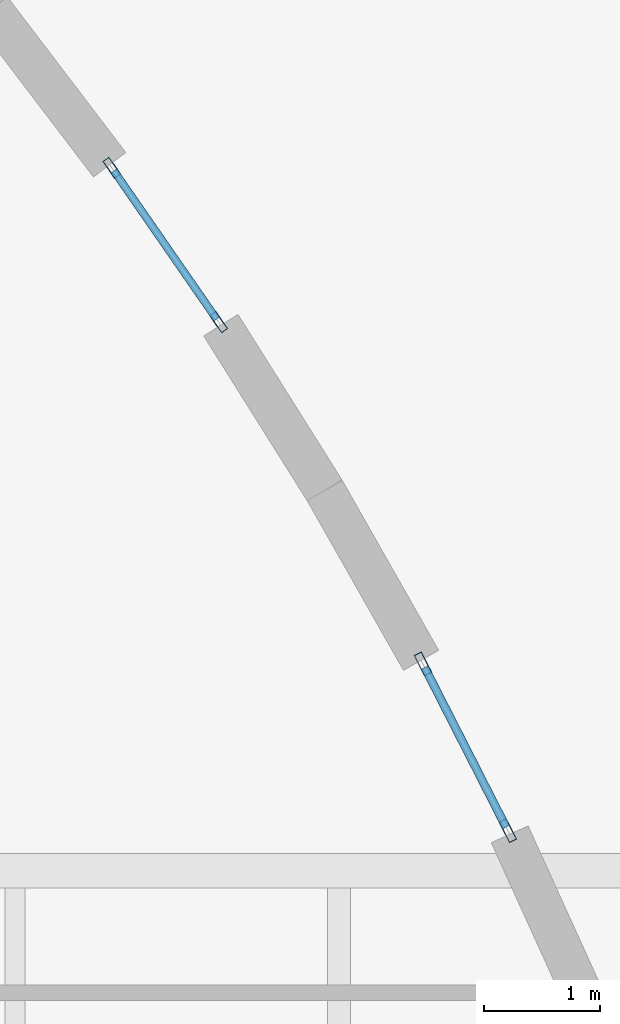
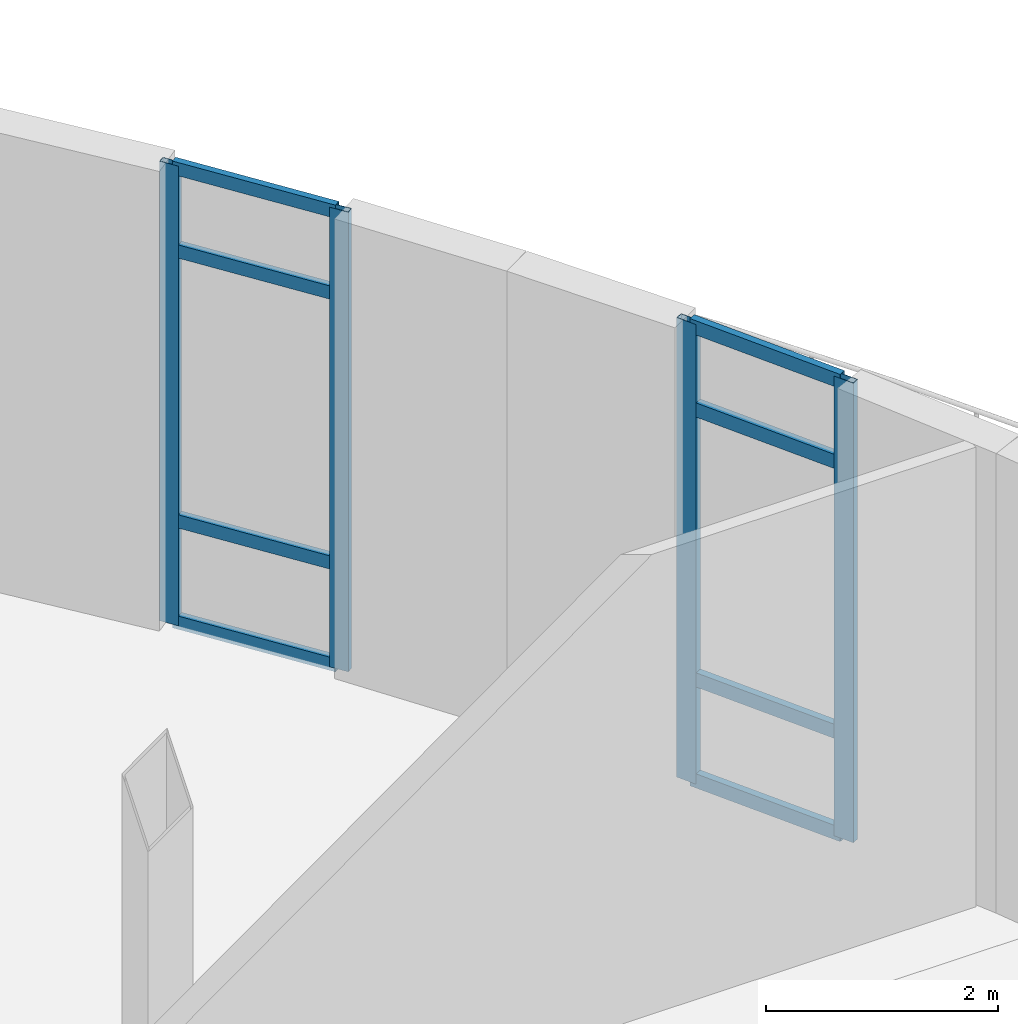
# One storey, part 27 of 57: 12 members, 2 elements without a shape of their own.
"""IFC4 building model written with IfcOpenShell, lengths in metres."""

from ifc_helpers import new_model, si_unit, direction, frame, origin, origin_2d, place, context, subcontext, project, spatial, hollow_rectangle, extrude, material, layer, layer_set, material_profile, profile_set, type_object, element, aggregate, save


model = new_model("IFC4")

# Units and contexts
model_context = context("Model", 3, precision=1e-05, world=origin(), true_north=direction((0.0, 1.0)))
body_context = subcontext(model_context, "Body", "Model", "MODEL_VIEW")
ifc_project = project(units=[si_unit("LENGTHUNIT", "METRE"), si_unit("AREAUNIT", "SQUARE_METRE"), si_unit("VOLUMEUNIT", "CUBIC_METRE"), si_unit("PLANEANGLEUNIT", "RADIAN"), si_unit("MASSUNIT", "GRAM", prefix="KILO"), si_unit("THERMODYNAMICTEMPERATUREUNIT", "KELVIN")], contexts=[model_context])

# Site, building, storey
site_placement = place(None, origin())
site = spatial("IfcSite", under=ifc_project, at=site_placement, CompositionType="ELEMENT")
building_placement = place(site_placement, origin())
building = spatial("IfcBuilding", under=site, at=building_placement, Name="Lustrewick Department Store", CompositionType="ELEMENT")
storey_placement = place(building_placement, frame((0.0, 0.0, 26.699951171875)))
storey = spatial("IfcBuildingStorey", under=building, at=storey_placement, Name="L06", CompositionType="ELEMENT", Elevation=26.699951171875)

# Curtain wall, members
ifc_material = material(Name="Thermally broken aluminium 6063-T5", Category="aluminium")
ifc_layer_1 = layer(ifc_material, 0.199951171875, Name="Thermally broken aluminium 6063-T5")
ifc_layer_set_1 = layer_set([ifc_layer_1], Name="Thermally broken aluminium 6063-T5")
curtain_wall_type_1 = type_object("IfcCurtainWallType", Name="CW01", PredefinedType="NOTDEFINED", material=ifc_layer_set_1)
curtain_wall_1_placement = place(storey_placement, origin())
curtain_wall_1 = element("IfcCurtainWall", 1, at=curtain_wall_1_placement, inside=storey, type_object=curtain_wall_type_1, Name="L06 V4 Curtain Wall CW01", PredefinedType="NOTDEFINED")
ifc_material_profile_1 = material_profile(ifc_material, hollow_rectangle(XDim=0.070068359375, YDim=0.199951171875, WallThickness=0.00390625, at=origin_2d()), Name="ALU-M 70x200x4")
ifc_profile_set_1 = profile_set([ifc_material_profile_1], Name="Thermally broken aluminium 6063-T5")
member_type_1 = type_object("IfcMemberType", Name="CW01-M1", PredefinedType="MULLION", material=ifc_profile_set_1)
member_1_placement = place(storey_placement, frame((149.860595703125, 75.945068359375, 0.0), z_axis=(0.0, 0.0, 1.0), x_axis=(-0.891023667085, -0.45395685334, 0.0)))
member_1 = element("IfcMember", 2, at=member_1_placement, type_object=member_type_1, Name="CW01 mullion 1", PredefinedType="MULLION", context=body_context, shape_type="SweptSolid", body=[
    extrude(hollow_rectangle(XDim=0.070068359375, YDim=0.199951171875, WallThickness=0.00390625, at=origin_2d()), origin(), (0.0, 0.0, 1.0), 4.844970703125),
])
member_2_placement = place(storey_placement, frame((149.126220703125, 77.38623046875, 0.0), z_axis=(0.0, 0.0, 1.0), x_axis=(-0.891023667085, -0.45395685334, 0.0)))
member_2 = element("IfcMember", 3, at=member_2_placement, type_object=member_type_1, Name="CW01 mullion 2", PredefinedType="MULLION", context=body_context, shape_type="SweptSolid", body=[
    extrude(hollow_rectangle(XDim=0.070068359375, YDim=0.199951171875, WallThickness=0.00390625, at=origin_2d()), origin(), (0.0, 0.0, 1.0), 4.844970703125),
])
ifc_material_profile_2 = material_profile(ifc_material, hollow_rectangle(XDim=0.070068359375, YDim=0.14990234375, WallThickness=0.00390625, at=origin_2d()), Name="ALU-T 70x150x4")
ifc_profile_set_2 = profile_set([ifc_material_profile_2], Name="Thermally broken aluminium 6063-T5")
member_type_2 = type_object("IfcMemberType", Name="CW01-T1", PredefinedType="USERDEFINED", material=ifc_profile_set_2)
member_3_placement = place(storey_placement, frame((149.8447265625, 75.976318359375, 0.03515625), z_axis=(-0.454015580203, 0.890993744609, 0.0), x_axis=(-0.890993744609, -0.454015580203, 0.0)))
member_3 = element("IfcMember", 4, at=member_3_placement, type_object=member_type_2, Name="CW01 transom 1.1", ObjectType="TRANSOM", PredefinedType="USERDEFINED", context=body_context, shape_type="SweptSolid", body=[
    extrude(hollow_rectangle(XDim=0.070068359375, YDim=0.14990234375, WallThickness=0.00390625, at=origin_2d()), origin(), (0.0, 0.0, 1.0), 1.547607421875),
])
member_4_placement = place(storey_placement, frame((149.8447265625, 75.976318359375, 1.10009765625), z_axis=(-0.454015580203, 0.890993744609, 0.0), x_axis=(-0.890993744609, -0.454015580203, 0.0)))
member_4 = element("IfcMember", 5, at=member_4_placement, type_object=member_type_2, Name="CW01 transom 1.2", ObjectType="TRANSOM", PredefinedType="USERDEFINED", context=body_context, shape_type="SweptSolid", body=[
    extrude(hollow_rectangle(XDim=0.070068359375, YDim=0.14990234375, WallThickness=0.00390625, at=origin_2d()), origin(), (0.0, 0.0, 1.0), 1.547607421875),
])
member_5_placement = place(storey_placement, frame((149.8447265625, 75.976318359375, 3.945068359375), z_axis=(-0.454015580203, 0.890993744609, 0.0), x_axis=(-0.890993744609, -0.454015580203, 0.0)))
member_5 = element("IfcMember", 6, at=member_5_placement, type_object=member_type_2, Name="CW01 transom 1.3", ObjectType="TRANSOM", PredefinedType="USERDEFINED", context=body_context, shape_type="SweptSolid", body=[
    extrude(hollow_rectangle(XDim=0.070068359375, YDim=0.14990234375, WallThickness=0.00390625, at=origin_2d()), origin(), (0.0, 0.0, 1.0), 1.547607421875),
])
member_6_placement = place(storey_placement, frame((149.8447265625, 75.976318359375, 4.81005859375), z_axis=(-0.454015580203, 0.890993744609, 0.0), x_axis=(-0.890993744609, -0.454015580203, 0.0)))
member_6 = element("IfcMember", 7, at=member_6_placement, type_object=member_type_2, Name="CW01 transom 1.4", ObjectType="TRANSOM", PredefinedType="USERDEFINED", context=body_context, shape_type="SweptSolid", body=[
    extrude(hollow_rectangle(XDim=0.070068359375, YDim=0.14990234375, WallThickness=0.00390625, at=origin_2d()), origin(), (0.0, 0.0, 1.0), 1.547607421875),
])
aggregate(curtain_wall_1, [member_1, member_2, member_3, member_4, member_5, member_6])

ifc_layer_2 = layer(ifc_material, 0.179931640625, Name="Thermally broken aluminium 6063-T5")
ifc_layer_set_2 = layer_set([ifc_layer_2], Name="Thermally broken aluminium 6063-T5")
curtain_wall_type_2 = type_object("IfcCurtainWallType", Name="CW02", PredefinedType="NOTDEFINED", material=ifc_layer_set_2)
curtain_wall_2_placement = place(storey_placement, origin())
curtain_wall_2 = element("IfcCurtainWall", 8, at=curtain_wall_2_placement, inside=storey, type_object=curtain_wall_type_2, Name="L06 V4 Curtain Wall CW02", PredefinedType="NOTDEFINED")
ifc_material_profile_3 = material_profile(ifc_material, hollow_rectangle(XDim=0.06494140625, YDim=0.179931640625, WallThickness=0.00390625, at=origin_2d()), Name="ALU-M 65x180x4")
ifc_profile_set_3 = profile_set([ifc_material_profile_3], Name="Thermally broken aluminium 6063-T5")
member_type_3 = type_object("IfcMemberType", Name="CW02-M1", PredefinedType="MULLION", material=ifc_profile_set_3)
member_7_placement = place(storey_placement, frame((147.361572265625, 80.34033203125, 0.0), z_axis=(0.0, 0.0, 1.0), x_axis=(-0.821978786837, -0.569518106815, 0.0)))
member_7 = element("IfcMember", 9, at=member_7_placement, type_object=member_type_3, Name="CW02 mullion 1", PredefinedType="MULLION", context=body_context, shape_type="SweptSolid", body=[
    extrude(hollow_rectangle(XDim=0.06494140625, YDim=0.179931640625, WallThickness=0.00390625, at=origin_2d()), origin(), (0.0, 0.0, 1.0), 4.844970703125),
])
member_8_placement = place(storey_placement, frame((146.4375, 81.674072265625, 0.0), z_axis=(0.0, 0.0, 1.0), x_axis=(-0.821978786837, -0.569518106815, 0.0)))
member_8 = element("IfcMember", 10, at=member_8_placement, type_object=member_type_3, Name="CW02 mullion 2", PredefinedType="MULLION", context=body_context, shape_type="SweptSolid", body=[
    extrude(hollow_rectangle(XDim=0.06494140625, YDim=0.179931640625, WallThickness=0.00390625, at=origin_2d()), origin(), (0.0, 0.0, 1.0), 4.844970703125),
])
ifc_material_profile_4 = material_profile(ifc_material, hollow_rectangle(XDim=0.06494140625, YDim=0.139892578125, WallThickness=0.00341796875, at=origin_2d()), Name="ALU-T 65x140x3.5")
ifc_profile_set_4 = profile_set([ifc_material_profile_4], Name="Thermally broken aluminium 6063-T5")
member_type_4 = type_object("IfcMemberType", Name="CW02-T1", PredefinedType="USERDEFINED", material=ifc_profile_set_4)
member_9_placement = place(storey_placement, frame((147.343017578125, 80.3671875, 0.032470703125), z_axis=(-0.569552319308, 0.821955081237, 0.0), x_axis=(-0.821955081237, -0.569552319308, 0.0)))
member_9 = element("IfcMember", 11, at=member_9_placement, type_object=member_type_4, Name="CW02 transom 1.1", ObjectType="TRANSOM", PredefinedType="USERDEFINED", context=body_context, shape_type="SweptSolid", body=[
    extrude(hollow_rectangle(XDim=0.06494140625, YDim=0.139892578125, WallThickness=0.00341796875, at=origin_2d()), origin(), (0.0, 0.0, 1.0), 1.557373046875),
])
member_10_placement = place(storey_placement, frame((147.343017578125, 80.3671875, 1.10009765625), z_axis=(-0.569552319308, 0.821955081237, 0.0), x_axis=(-0.821955081237, -0.569552319308, 0.0)))
member_10 = element("IfcMember", 12, at=member_10_placement, type_object=member_type_4, Name="CW02 transom 1.2", ObjectType="TRANSOM", PredefinedType="USERDEFINED", context=body_context, shape_type="SweptSolid", body=[
    extrude(hollow_rectangle(XDim=0.06494140625, YDim=0.139892578125, WallThickness=0.00341796875, at=origin_2d()), origin(), (0.0, 0.0, 1.0), 1.557373046875),
])
member_11_placement = place(storey_placement, frame((147.343017578125, 80.3671875, 3.945068359375), z_axis=(-0.569552319308, 0.821955081237, 0.0), x_axis=(-0.821955081237, -0.569552319308, 0.0)))
member_11 = element("IfcMember", 13, at=member_11_placement, type_object=member_type_4, Name="CW02 transom 1.3", ObjectType="TRANSOM", PredefinedType="USERDEFINED", context=body_context, shape_type="SweptSolid", body=[
    extrude(hollow_rectangle(XDim=0.06494140625, YDim=0.139892578125, WallThickness=0.00341796875, at=origin_2d()), origin(), (0.0, 0.0, 1.0), 1.557373046875),
])
member_12_placement = place(storey_placement, frame((147.343017578125, 80.3671875, 4.8125), z_axis=(-0.569552319308, 0.821955081237, 0.0), x_axis=(-0.821955081237, -0.569552319308, 0.0)))
member_12 = element("IfcMember", 14, at=member_12_placement, type_object=member_type_4, Name="CW02 transom 1.4", ObjectType="TRANSOM", PredefinedType="USERDEFINED", context=body_context, shape_type="SweptSolid", body=[
    extrude(hollow_rectangle(XDim=0.06494140625, YDim=0.139892578125, WallThickness=0.00341796875, at=origin_2d()), origin(), (0.0, 0.0, 1.0), 1.557373046875),
])
aggregate(curtain_wall_2, [member_7, member_8, member_9, member_10, member_11, member_12])

save(model, "model.ifc")
